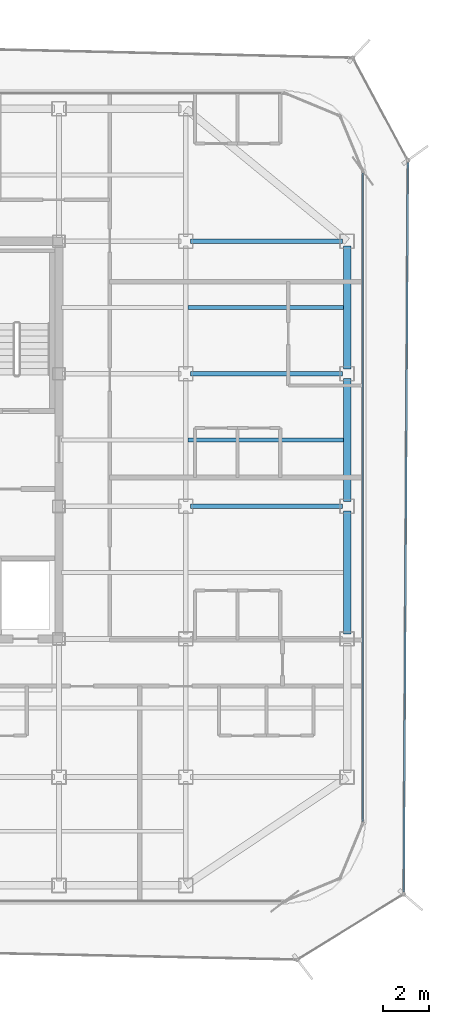
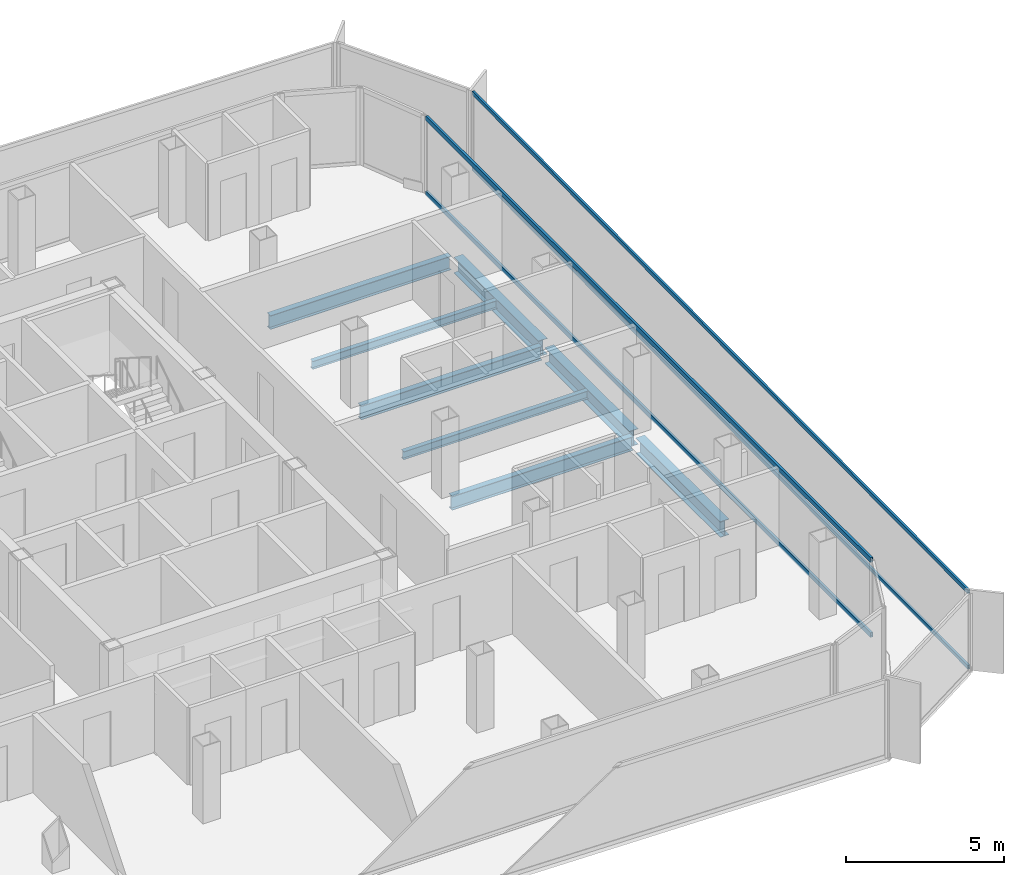
# One storey, part 5 of 16: 8 beams, 4 members, 2 elements without a shape of their own.
"""IFC4 building model written with IfcOpenShell, lengths in metres."""

from ifc_helpers import new_model, si_unit, direction, frame, origin, origin_2d, place, context, subcontext, project, spatial, hollow_rectangle, i_section, extrude, source, transform, mapped, material, layer, layer_set, material_profile, profile_set, type_object, element, aggregate, save


model = new_model("IFC4")

# Units and contexts
model_context = context("Model", 3, precision=1e-05, world=origin(), true_north=direction((0.0, 1.0)))
body_context = subcontext(model_context, "Body", "Model", "MODEL_VIEW")
ifc_project = project(units=[si_unit("LENGTHUNIT", "METRE"), si_unit("AREAUNIT", "SQUARE_METRE"), si_unit("VOLUMEUNIT", "CUBIC_METRE"), si_unit("PLANEANGLEUNIT", "RADIAN"), si_unit("MASSUNIT", "GRAM", prefix="KILO")], contexts=[model_context])

# Site, building, storey
site_placement = place(None, origin())
site = spatial("IfcSite", under=ifc_project, at=site_placement, CompositionType="ELEMENT")
building_placement = place(site_placement, origin())
building = spatial("IfcBuilding", under=site, at=building_placement, Name="Kolveth Station Tower", CompositionType="ELEMENT")
storey_placement = place(building_placement, frame((0.0, 0.0, 232.89990234375)))
storey = spatial("IfcBuildingStorey", under=building, at=storey_placement, Name="L66", CompositionType="ELEMENT", Elevation=232.89990234375)

# Beams
ifc_material_1 = material(Name="Steel S355", Category="steel")
ifc_material_profile_1 = material_profile(ifc_material_1, i_section(OverallWidth=0.323974609375, OverallDepth=0.611083984375, WebThickness=0.0126953125, FlangeThickness=0.01904296875, at=origin_2d()), Name="W610x155")
ifc_profile_set_1 = profile_set([ifc_material_profile_1], Name="Steel S355")
beam_type_1 = type_object("IfcBeamType", Name="Beam_SP2", PredefinedType="SPANDREL", material=ifc_profile_set_1)
shared_shape_1 = source(origin(), body_context, "Body", "SweptSolid", [
    extrude(i_section(OverallWidth=0.323974609375, OverallDepth=0.611083984375, WebThickness=0.0126953125, FlangeThickness=0.01904296875, at=origin_2d()), origin(), (0.0, 0.0, 1.0), 5.35009765625),
])
for number, where, z_axis, x_axis, name in (
    (1, (41.0, 11.699951171875, -0.525390625), (0.0, 1.0, 0.0), (-1.0, 0.0, 0.0), "L66 Perimeter Spandrel BM-L66-PE-2"),
    (2, (41.0, 17.449951171875, -0.525390625), (0.0, 1.0, 0.0), (-1.0, 0.0, 0.0), "L66 Perimeter Spandrel BM-L66-PE-3"),
    (3, (41.0, 23.199951171875, -0.525390625), (0.0, 1.0, 0.0), (-1.0, 0.0, 0.0), "L66 Perimeter Spandrel BM-L66-PE-4"),
):
    element("IfcBeam", number, at=place(storey_placement, frame(where, z_axis=z_axis, x_axis=x_axis)), inside=storey, type_object=beam_type_1, Name=name, PredefinedType="SPANDREL", context=body_context, shape_type="MappedRepresentation", body=[
        mapped(shared_shape_1, transform((0.0, 0.0, 0.0), x_axis=(1.0, 0.0, 0.0), y_axis=(0.0, 1.0, 0.0), z_axis=(0.0, 0.0, 1.0), scale=1.0)),
    ])
ifc_material_profile_2 = material_profile(ifc_material_1, i_section(OverallWidth=0.2099609375, OverallDepth=0.537109375, WebThickness=0.010986328125, FlangeThickness=0.017333984375, at=origin_2d()), Name="W530x101")
ifc_profile_set_2 = profile_set([ifc_material_profile_2], Name="Steel S355")
beam_type_2 = type_object("IfcBeamType", Name="Beam_B6", PredefinedType="BEAM", material=ifc_profile_set_2)
shared_shape_2 = source(origin(), body_context, "Body", "SweptSolid", [
    extrude(i_section(OverallWidth=0.2099609375, OverallDepth=0.537109375, WebThickness=0.010986328125, FlangeThickness=0.017333984375, at=origin_2d()), origin(), (0.0, 0.0, 1.0), 6.60009765625),
])
for number, where, z_axis, x_axis, name in (
    (4, (34.199951171875, 17.25, -0.48828125), (1.0, 0.0, 0.0), (0.0, 1.0, 0.0), "L66 Primary Girder BM-L66-GY172-5"),
    (5, (34.199951171875, 23.0, -0.48828125), (1.0, 0.0, 0.0), (0.0, 1.0, 0.0), "L66 Primary Girder BM-L66-GY230-5"),
    (6, (34.199951171875, 28.75, -0.48828125), (1.0, 0.0, 0.0), (0.0, 1.0, 0.0), "L66 Primary Girder BM-L66-GY287-5"),
):
    element("IfcBeam", number, at=place(storey_placement, frame(where, z_axis=z_axis, x_axis=x_axis)), inside=storey, type_object=beam_type_2, Name=name, PredefinedType="BEAM", context=body_context, shape_type="MappedRepresentation", body=[
        mapped(shared_shape_2, transform((0.0, 0.0, 0.0), x_axis=(1.0, 0.0, 0.0), y_axis=(0.0, 1.0, 0.0), z_axis=(0.0, 0.0, 1.0), scale=1.0)),
    ])
ifc_material_profile_3 = material_profile(ifc_material_1, i_section(OverallWidth=0.1650390625, OverallDepth=0.31005859375, WebThickness=0.005859375, FlangeThickness=0.009765625, at=origin_2d()), Name="W310x39")
ifc_profile_set_3 = profile_set([ifc_material_profile_3], Name="Steel S355")
beam_type_3 = type_object("IfcBeamType", Name="Beam_J3", PredefinedType="JOIST", material=ifc_profile_set_3)
shared_shape_3 = source(origin(), body_context, "Body", "SweptSolid", [
    extrude(i_section(OverallWidth=0.1650390625, OverallDepth=0.31005859375, WebThickness=0.005859375, FlangeThickness=0.009765625, at=origin_2d()), origin(), (0.0, 0.0, 1.0), 6.737060546875),
])
for number, where, z_axis, x_axis, name in (
    (7, (34.10302734375, 20.125, -0.375), (1.0, 0.0, 0.0), (0.0, 1.0, 0.0), "L66 Secondary Joist JST-L66-5-4"),
    (8, (34.10302734375, 25.875, -0.375), (1.0, 0.0, 0.0), (0.0, 1.0, 0.0), "L66 Secondary Joist JST-L66-5-5"),
):
    element("IfcBeam", number, at=place(storey_placement, frame(where, z_axis=z_axis, x_axis=x_axis)), inside=storey, type_object=beam_type_3, Name=name, PredefinedType="JOIST", context=body_context, shape_type="MappedRepresentation", body=[
        mapped(shared_shape_3, transform((0.0, 0.0, 0.0), x_axis=(1.0, 0.0, 0.0), y_axis=(0.0, 1.0, 0.0), z_axis=(0.0, 0.0, 1.0), scale=1.0)),
    ])

# Curtain wall, members
ifc_material_2 = material(Name="Aluminium 6063-T6 and triple low-E dark glass", Category="aluminium")
ifc_layer_1 = layer(ifc_material_2, 0.199951171875)
ifc_layer_set_1 = layer_set([ifc_layer_1], Name="Aluminium 6063-T6 and triple low-E dark glass")
curtain_wall_type_1 = type_object("IfcCurtainWallType", Name="CurtainWall_CW-Z3", PredefinedType="NOTDEFINED", material=ifc_layer_set_1)
curtain_wall_1_placement = place(storey_placement, origin())
curtain_wall_1 = element("IfcCurtainWall", 9, at=curtain_wall_1_placement, inside=storey, type_object=curtain_wall_type_1, Name="L66 Inner Thermal Curtain Wall 3", PredefinedType="NOTDEFINED")
ifc_material_3 = material(Name="Black anodized aluminium 6063-T6", Category="aluminium")
ifc_material_profile_4 = material_profile(ifc_material_3, hollow_rectangle(XDim=0.0849609375, YDim=0.179931640625, WallThickness=0.0048828125, at=origin_2d()), Name="ALU-85x180x5")
ifc_profile_set_4 = profile_set([ifc_material_profile_4], Name="Black anodized aluminium 6063-T6")
member_type_1 = type_object("IfcMemberType", Name="Transom_TR3", PredefinedType="USERDEFINED", material=ifc_profile_set_4)
shared_shape_4 = source(origin(), body_context, "Body", "SweptSolid", [
    extrude(hollow_rectangle(XDim=0.0849609375, YDim=0.179931640625, WallThickness=0.0048828125, at=origin_2d()), origin(), (0.0, 0.0, 1.0), 28.130126953125),
])
member_1_placement = place(storey_placement, frame((41.679931640625, 3.5849609375, 0.04248046875), z_axis=(0.0, 1.0, 0.0), x_axis=(-1.0, 0.0, 0.0)))
member_1 = element("IfcMember", 10, at=member_1_placement, type_object=member_type_1, Name="CW-Z3 transom 1.1", ObjectType="TRANSOM", PredefinedType="USERDEFINED", context=body_context, shape_type="MappedRepresentation", body=[
    mapped(shared_shape_4, transform((0.0, 0.0, 0.0), x_axis=(1.0, 0.0, 0.0), y_axis=(0.0, 1.0, 0.0), z_axis=(0.0, 0.0, 1.0), scale=1.0)),
])
member_2_placement = place(storey_placement, frame((41.679931640625, 3.5849609375, 2.9375), z_axis=(0.0, 1.0, 0.0), x_axis=(-1.0, 0.0, 0.0)))
member_2 = element("IfcMember", 11, at=member_2_placement, type_object=member_type_1, Name="CW-Z3 transom 1.2", ObjectType="TRANSOM", PredefinedType="USERDEFINED", context=body_context, shape_type="MappedRepresentation", body=[
    mapped(shared_shape_4, transform((0.0, 0.0, 0.0), x_axis=(1.0, 0.0, 0.0), y_axis=(0.0, 1.0, 0.0), z_axis=(0.0, 0.0, 1.0), scale=1.0)),
])
aggregate(curtain_wall_1, [member_1, member_2])

ifc_material_4 = material(Name="Black anodized aluminium 6063-T6 and dark solar glass", Category="aluminium")
ifc_layer_2 = layer(ifc_material_4, 0.159912109375)
ifc_layer_set_2 = layer_set([ifc_layer_2], Name="Black anodized aluminium 6063-T6 and dark solar glass")
curtain_wall_type_2 = type_object("IfcCurtainWallType", Name="OUTER SKIN CW-OS", PredefinedType="NOTDEFINED", material=ifc_layer_set_2)
curtain_wall_2_placement = place(storey_placement, origin())
curtain_wall_2 = element("IfcCurtainWall", 12, at=curtain_wall_2_placement, inside=storey, type_object=curtain_wall_type_2, Name="L66 Outer Ventilated Skin Curtain Wall 2", PredefinedType="NOTDEFINED")
ifc_material_profile_5 = material_profile(ifc_material_3, hollow_rectangle(XDim=0.080078125, YDim=0.14990234375, WallThickness=0.0048828125, at=origin_2d()), Name="ALU-80x150x5")
ifc_profile_set_5 = profile_set([ifc_material_profile_5], Name="Black anodized aluminium 6063-T6")
member_type_2 = type_object("IfcMemberType", Name="Transom_TR-OS", PredefinedType="USERDEFINED", material=ifc_profile_set_5)
shared_shape_5 = source(origin(), body_context, "Body", "SweptSolid", [
    extrude(hollow_rectangle(XDim=0.080078125, YDim=0.14990234375, WallThickness=0.0048828125, at=origin_2d()), origin(), (0.0, 0.0, 1.0), 31.653076171875),
])
member_3_placement = place(storey_placement, frame((43.45703125, 0.515625, 0.0400390625), z_axis=(0.005707625561, 0.999983711373, 0.0), x_axis=(-0.999983711373, 0.005707625561, 0.0)))
member_3 = element("IfcMember", 13, at=member_3_placement, type_object=member_type_2, Name="CW-OS transom 1.1", ObjectType="TRANSOM", PredefinedType="USERDEFINED", context=body_context, shape_type="MappedRepresentation", body=[
    mapped(shared_shape_5, transform((0.0, 0.0, 0.0), x_axis=(1.0, 0.0, 0.0), y_axis=(0.0, 1.0, 0.0), z_axis=(0.0, 0.0, 1.0), scale=1.0)),
])
member_4_placement = place(storey_placement, frame((43.45703125, 0.515625, 2.9501953125), z_axis=(0.005707625561, 0.999983711373, 0.0), x_axis=(-0.999983711373, 0.005707625561, 0.0)))
member_4 = element("IfcMember", 14, at=member_4_placement, type_object=member_type_2, Name="CW-OS transom 1.2", ObjectType="TRANSOM", PredefinedType="USERDEFINED", context=body_context, shape_type="MappedRepresentation", body=[
    mapped(shared_shape_5, transform((0.0, 0.0, 0.0), x_axis=(1.0, 0.0, 0.0), y_axis=(0.0, 1.0, 0.0), z_axis=(0.0, 0.0, 1.0), scale=1.0)),
])
aggregate(curtain_wall_2, [member_3, member_4])

save(model, "model.ifc")
